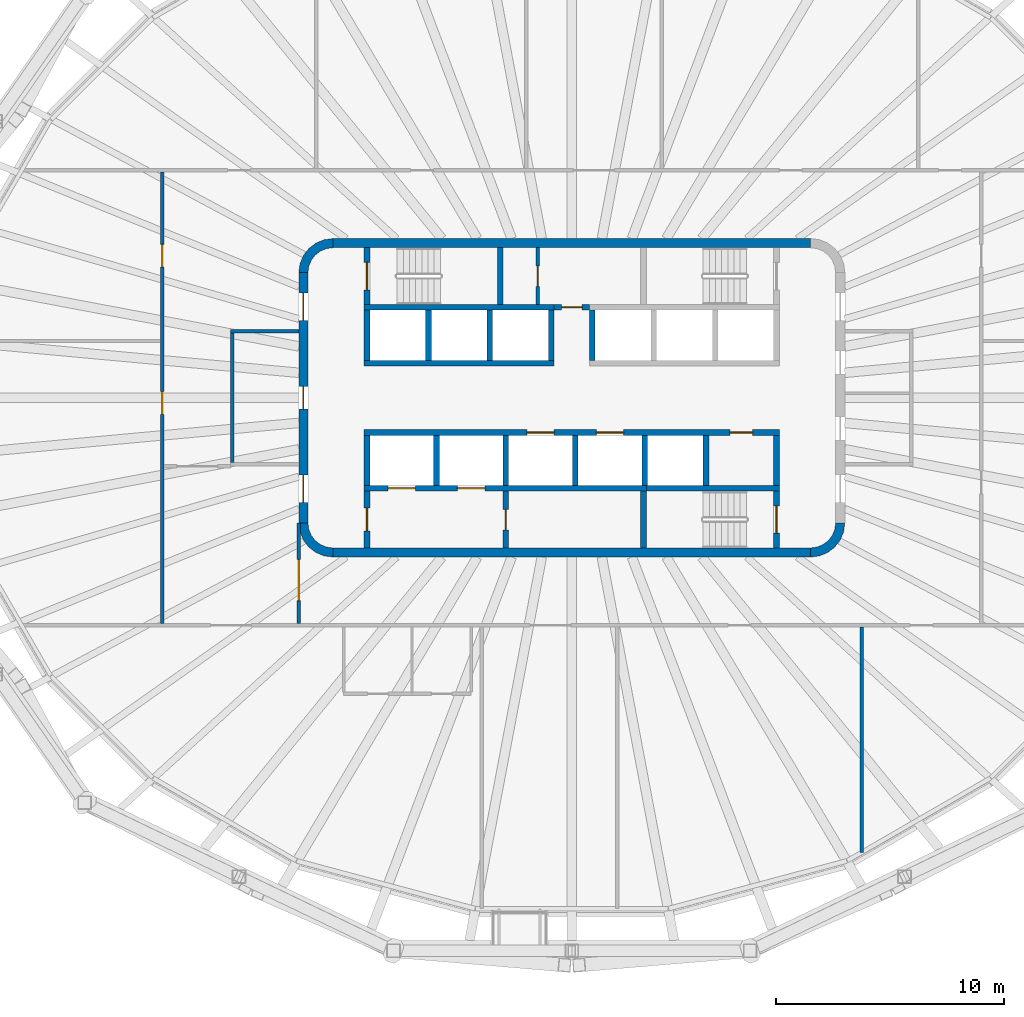
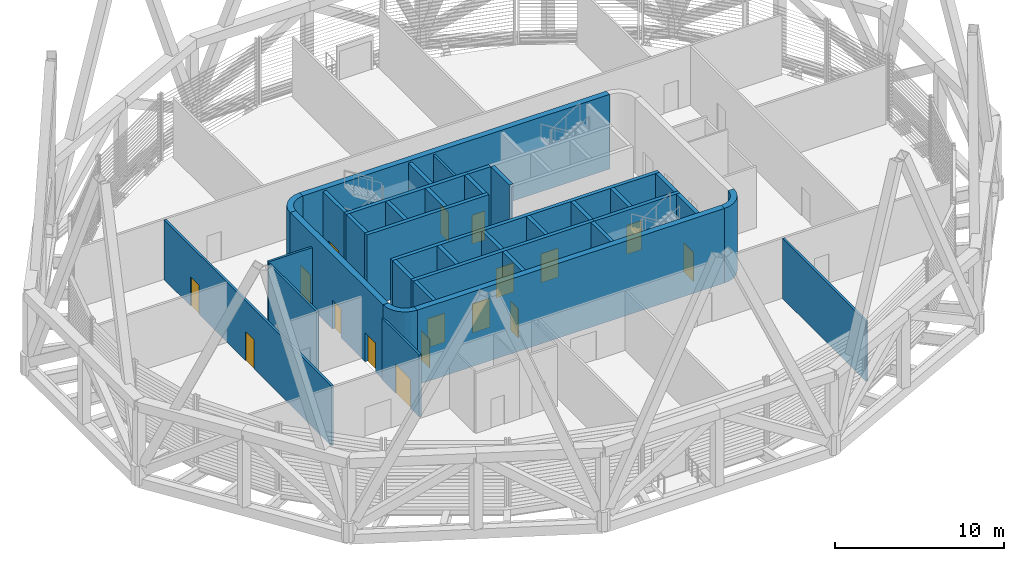
# One storey, part 6 of 16: 36 walls, 17 doors, 17 openings.
"""IFC4 building model written with IfcOpenShell, lengths in metres."""

from ifc_helpers import new_model, si_unit, direction, frame, frame_2d, origin, place, context, subcontext, project, spatial, polyline, rectangle, outline, extrude, material, layer, layer_set, type_object, element, fill, save


model = new_model("IFC4")

# Units and contexts
model_context = context("Model", 3, precision=1e-05, world=origin(), true_north=direction((0.0, 1.0)))
body_context = subcontext(model_context, "Body", "Model", "MODEL_VIEW")
ifc_project = project(units=[si_unit("LENGTHUNIT", "METRE"), si_unit("AREAUNIT", "SQUARE_METRE"), si_unit("VOLUMEUNIT", "CUBIC_METRE"), si_unit("PLANEANGLEUNIT", "RADIAN"), si_unit("MASSUNIT", "GRAM", prefix="KILO")], contexts=[model_context])

# Site, building, storey
site_placement = place(None, origin())
site = spatial("IfcSite", under=ifc_project, at=site_placement, CompositionType="ELEMENT")
building_placement = place(site_placement, origin())
building = spatial("IfcBuilding", under=site, at=building_placement, Name="Sahrelin Media Tower", CompositionType="ELEMENT")
storey_placement = place(building_placement, frame((0.0, 0.0, 299.0)))
storey = spatial("IfcBuildingStorey", under=building, at=storey_placement, Name="L66", CompositionType="ELEMENT", Elevation=299.0)

# Walls
ifc_material_1 = material(Name="Concrete C60/75", Category="concrete")
ifc_layer_1 = layer(ifc_material_1, 0.39990234375)
ifc_layer_set_1 = layer_set([ifc_layer_1], Name="Core wall 400")
wall_type_1 = type_object("IfcWallType", Name="Core wall 400", PredefinedType="SHEAR", material=ifc_layer_set_1)
for number, where, z_axis, x_axis, name in (
    (1, (-10.5, 6.800048828125, 0.0), (0.0, 0.0, 1.0), (1.0, 0.0, 0.0), "Core wall N L66"),
    (2, (-10.5, -6.800048828125, 0.0), (0.0, 0.0, 1.0), (1.0, 0.0, 0.0), "Core wall S L66"),
):
    element("IfcWall", number, at=place(storey_placement, frame(where, z_axis=z_axis, x_axis=x_axis)), inside=storey, type_object=wall_type_1, Name=name, PredefinedType="SHEAR", context=body_context, shape_type="SweptSolid", body=[
        extrude(rectangle(XDim=21.0, YDim=0.39990234375, at=frame_2d((10.5, 0.0))), origin(), (0.0, 0.0, 1.0), 5.39990234375),
    ])

# Wall, openings, doors
wall_1_placement = place(storey_placement, frame((-11.800048828125, -5.5, 0.0), z_axis=(0.0, 0.0, 1.0), x_axis=(0.0, 1.0, 0.0)))
wall_1 = element("IfcWall", 3, at=wall_1_placement, inside=storey, type_object=wall_type_1, Name="Core wall W L66", PredefinedType="SHEAR", context=body_context, shape_type="SweptSolid", body=[
    extrude(rectangle(XDim=11.0, YDim=0.39990234375, at=frame_2d((5.5, 0.0))), origin(), (0.0, 0.0, 1.0), 5.39990234375),
])
opening_1_placement = place(wall_1_placement, frame((5.0, 0.0, 0.0)))
opening_1 = element("IfcOpeningElement", 4, at=opening_1_placement, cuts=wall_1, Name="Opening L66-D09", PredefinedType="OPENING", context=body_context, shape_type="SweptSolid", body=[
    extrude(rectangle(XDim=1.0, YDim=2.10009765625, at=frame_2d((0.5, 1.050048828125))), frame((0.0, 0.199951171875, 0.0), z_axis=(0.0, -1.0, 0.0), x_axis=(1.0, 0.0, 0.0)), (0.0, 0.0, 1.0), 0.39990234375),
])
opening_2_placement = place(wall_1_placement, frame((0.89990234375, 0.0, 0.0)))
opening_2 = element("IfcOpeningElement", 5, at=opening_2_placement, cuts=wall_1, Name="Opening L66-D12", PredefinedType="OPENING", context=body_context, shape_type="SweptSolid", body=[
    extrude(rectangle(XDim=1.199951171875, YDim=2.10009765625, at=frame_2d((0.60009765625, 1.050048828125))), frame((0.0, 0.199951171875, 0.0), z_axis=(0.0, -1.0, 0.0), x_axis=(1.0, 0.0, 0.0)), (0.0, 0.0, 1.0), 0.39990234375),
])
opening_3_placement = place(wall_1_placement, frame((8.89990234375, 0.0, 0.0)))
opening_3 = element("IfcOpeningElement", 6, at=opening_3_placement, cuts=wall_1, Name="Opening L66-D13", PredefinedType="OPENING", context=body_context, shape_type="SweptSolid", body=[
    extrude(rectangle(XDim=1.199951171875, YDim=2.10009765625, at=frame_2d((0.60009765625, 1.050048828125))), frame((0.0, 0.199951171875, 0.0), z_axis=(0.0, -1.0, 0.0), x_axis=(1.0, 0.0, 0.0)), (0.0, 0.0, 1.0), 0.39990234375),
])
ifc_material_2 = material(Name="Steel fire door leaf", Category="steel")
door_type_1 = type_object("IfcDoorType", Name="Fire door 1000 x 2100 EI 60", OperationType="NOTDEFINED", PredefinedType="DOOR", material=ifc_material_2)
door_1_placement = place(opening_1_placement, origin())
door_1 = element("IfcDoor", 7, at=door_1_placement, inside=storey, type_object=door_type_1, Name="Core room door", OperationType="SINGLE_SWING_RIGHT", OverallHeight=2.10009765625, OverallWidth=1.0, PredefinedType="DOOR", context=body_context, shape_type="SweptSolid", body=[
    extrude(rectangle(XDim=1.0, YDim=2.10009765625, at=frame_2d((0.5, 1.050048828125))), frame((0.0, 0.02490234375, 0.0), z_axis=(0.0, -1.0, 0.0), x_axis=(1.0, 0.0, 0.0)), (0.0, 0.0, 1.0), 0.050048828125),
])
fill(opening_1, door_1)
door_type_2 = type_object("IfcDoorType", Name="Lobby door 1200 x 2100 EI 60", OperationType="NOTDEFINED", PredefinedType="DOOR", material=ifc_material_2)
door_2_placement = place(opening_2_placement, origin())
door_2 = element("IfcDoor", 8, at=door_2_placement, inside=storey, type_object=door_type_2, Name="Lobby door", OperationType="SINGLE_SWING_LEFT", OverallHeight=2.10009765625, OverallWidth=1.199951171875, PredefinedType="DOOR", context=body_context, shape_type="SweptSolid", body=[
    extrude(rectangle(XDim=1.199951171875, YDim=2.10009765625, at=frame_2d((0.60009765625, 1.050048828125))), frame((0.0, 0.02490234375, 0.0), z_axis=(0.0, -1.0, 0.0), x_axis=(1.0, 0.0, 0.0)), (0.0, 0.0, 1.0), 0.050048828125),
])
fill(opening_2, door_2)
door_3_placement = place(opening_3_placement, origin())
door_3 = element("IfcDoor", 9, at=door_3_placement, inside=storey, type_object=door_type_2, Name="Lobby door", OperationType="SINGLE_SWING_LEFT", OverallHeight=2.10009765625, OverallWidth=1.199951171875, PredefinedType="DOOR", context=body_context, shape_type="SweptSolid", body=[
    extrude(rectangle(XDim=1.199951171875, YDim=2.10009765625, at=frame_2d((0.60009765625, 1.050048828125))), frame((0.0, 0.02490234375, 0.0), z_axis=(0.0, -1.0, 0.0), x_axis=(1.0, 0.0, 0.0)), (0.0, 0.0, 1.0), 0.050048828125),
])
fill(opening_3, door_3)

# Walls
placement = place(storey_placement, origin())
element("IfcWall", 10, at=placement, inside=storey, type_object=wall_type_1, Name="Core wall corner NW L66", PredefinedType="SHEAR", context=body_context, shape_type="SweptSolid", body=[
    extrude(outline(polyline([(-12.0, 5.5), (-11.596435546875, 5.5), (-11.55908203125, 5.78369140625), (-11.44970703125, 6.04833984375), (-11.275390625, 6.275390625), (-11.04833984375, 6.44970703125), (-10.78369140625, 6.55908203125), (-10.5, 6.596435546875), (-10.5, 7.0), (-10.88818359375, 6.948974609375), (-11.25, 6.799072265625), (-11.560791015625, 6.560791015625), (-11.799072265625, 6.25), (-11.948974609375, 5.88818359375), (-12.0, 5.5)])), origin(), (0.0, 0.0, 1.0), 5.39990234375),
])
element("IfcWall", 11, at=placement, inside=storey, type_object=wall_type_1, Name="Core wall corner SW L66", PredefinedType="SHEAR", context=body_context, shape_type="SweptSolid", body=[
    extrude(outline(polyline([(-10.5, -7.0), (-10.5, -6.596435546875), (-10.78369140625, -6.55908203125), (-11.04833984375, -6.44970703125), (-11.275390625, -6.275390625), (-11.44970703125, -6.04833984375), (-11.55908203125, -5.78369140625), (-11.596435546875, -5.5), (-12.0, -5.5), (-11.948974609375, -5.88818359375), (-11.799072265625, -6.25), (-11.560791015625, -6.560791015625), (-11.25, -6.799072265625), (-10.88818359375, -6.948974609375), (-10.5, -7.0)])), origin(), (0.0, 0.0, 1.0), 5.39990234375),
])
element("IfcWall", 12, at=placement, inside=storey, type_object=wall_type_1, Name="Core wall corner SE L66", PredefinedType="SHEAR", context=body_context, shape_type="SweptSolid", body=[
    extrude(outline(polyline([(12.0, -5.5), (11.596435546875, -5.5), (11.55908203125, -5.78369140625), (11.44970703125, -6.04833984375), (11.275390625, -6.275390625), (11.04833984375, -6.44970703125), (10.78369140625, -6.55908203125), (10.5, -6.596435546875), (10.5, -7.0), (10.88818359375, -6.948974609375), (11.25, -6.799072265625), (11.560791015625, -6.560791015625), (11.799072265625, -6.25), (11.948974609375, -5.88818359375), (12.0, -5.5)])), origin(), (0.0, 0.0, 1.0), 5.39990234375),
])

# Wall, opening, door
ifc_material_3 = material(Name="Fire-rated gypsum board partition")
ifc_layer_2 = layer(ifc_material_3, 0.14990234375)
ifc_layer_set_2 = layer_set([ifc_layer_2], Name="Fire-rated lobby wall 150")
wall_type_2 = type_object("IfcWallType", Name="Fire-rated lobby wall 150", PredefinedType="PARTITIONING", material=ifc_layer_set_2)
wall_5_placement = place(storey_placement, frame((-12.0, -5.5, 0.0), z_axis=(0.0, 0.0, 1.0), x_axis=(0.0, -1.0, 0.0)))
wall_5 = element("IfcWall", 13, at=wall_5_placement, inside=storey, type_object=wall_type_2, Name="Wall", PredefinedType="PARTITIONING", context=body_context, shape_type="SweptSolid", body=[
    extrude(rectangle(XDim=4.425048828125, YDim=0.14990234375, at=frame_2d((2.21240234375, 0.0))), origin(), (0.0, 0.0, 1.0), 4.47607421875),
])
opening_4_placement = place(wall_5_placement, frame((1.613037109375, 0.0, 0.0)))
opening_4 = element("IfcOpeningElement", 14, at=opening_4_placement, cuts=wall_5, Name="Opening L66-D26", PredefinedType="OPENING", context=body_context, shape_type="SweptSolid", body=[
    extrude(rectangle(XDim=1.800048828125, YDim=2.10009765625, at=frame_2d((0.89990234375, 1.050048828125))), frame((0.0, 0.074951171875, 0.0), z_axis=(0.0, -1.0, 0.0), x_axis=(1.0, 0.0, 0.0)), (0.0, 0.0, 1.0), 0.14990234375),
])
door_type_3 = type_object("IfcDoorType", Name="Lobby double door 1800 x 2100 EI 60", OperationType="DOUBLE_DOOR_SINGLE_SWING", PredefinedType="DOOR", material=ifc_material_2)
door_4_placement = place(opening_4_placement, origin())
door_4 = element("IfcDoor", 15, at=door_4_placement, inside=storey, type_object=door_type_3, Name="Lobby double door", OperationType="DOUBLE_DOOR_SINGLE_SWING", OverallHeight=2.10009765625, OverallWidth=1.800048828125, PredefinedType="DOOR", context=body_context, shape_type="SweptSolid", body=[
    extrude(rectangle(XDim=1.800048828125, YDim=2.10009765625, at=frame_2d((0.89990234375, 1.050048828125))), frame((0.0, 0.02490234375, 0.0), z_axis=(0.0, -1.0, 0.0), x_axis=(1.0, 0.0, 0.0)), (0.0, 0.0, 1.0), 0.050048828125),
])
fill(opening_4, door_4)

ifc_layer_3 = layer(ifc_material_3, 0.25)
ifc_layer_set_3 = layer_set([ifc_layer_3], Name="Fire-rated lobby wall 250")
wall_type_3 = type_object("IfcWallType", Name="Fire-rated lobby wall 250", PredefinedType="PARTITIONING", material=ifc_layer_set_3)
wall_6_placement = place(storey_placement, frame((-0.77490234375, 3.97509765625, 0.0), z_axis=(0.0, 0.0, 1.0), x_axis=(1.0, 0.0, 0.0)))
wall_6 = element("IfcWall", 16, at=wall_6_placement, inside=storey, type_object=wall_type_3, Name="Core lobby wall", PredefinedType="PARTITIONING", context=body_context, shape_type="SweptSolid", body=[
    extrude(rectangle(XDim=1.5498046875, YDim=0.25, at=frame_2d((0.77490234375, 0.0))), origin(), (0.0, 0.0, 1.0), 5.25),
])
opening_5_placement = place(wall_6_placement, frame((0.324951171875, 0.0, 0.0)))
opening_5 = element("IfcOpeningElement", 17, at=opening_5_placement, cuts=wall_6, Name="Opening L66-D06", PredefinedType="OPENING", context=body_context, shape_type="SweptSolid", body=[
    extrude(rectangle(XDim=0.89990234375, YDim=2.10009765625, at=frame_2d((0.449951171875, 1.050048828125))), frame((0.0, 0.125, 0.0), z_axis=(0.0, -1.0, 0.0), x_axis=(1.0, 0.0, 0.0)), (0.0, 0.0, 1.0), 0.25),
])
door_type_4 = type_object("IfcDoorType", Name="Riser door 900 x 2100 EI 120", OperationType="NOTDEFINED", PredefinedType="DOOR", material=ifc_material_2)
door_5_placement = place(opening_5_placement, origin())
door_5 = element("IfcDoor", 18, at=door_5_placement, inside=storey, type_object=door_type_4, Name="Core room door", OperationType="SINGLE_SWING_LEFT", OverallHeight=2.10009765625, OverallWidth=0.89990234375, PredefinedType="DOOR", context=body_context, shape_type="SweptSolid", body=[
    extrude(rectangle(XDim=0.89990234375, YDim=2.10009765625, at=frame_2d((0.449951171875, 1.050048828125))), frame((0.0, 0.02490234375, 0.0), z_axis=(0.0, -1.0, 0.0), x_axis=(1.0, 0.0, 0.0)), (0.0, 0.0, 1.0), 0.050048828125),
])
fill(opening_5, door_5)

ifc_layer_4 = layer(ifc_material_3, 0.14990234375)
ifc_layer_set_4 = layer_set([ifc_layer_4], Name="Fire-rated partition 150")
wall_type_4 = type_object("IfcWallType", Name="Fire-rated partition 150", PredefinedType="PARTITIONING", material=ifc_layer_set_4)
wall_7_placement = place(storey_placement, frame((-1.5, 4.10009765625, 0.0), z_axis=(0.0, 0.0, 1.0), x_axis=(0.0, 1.0, 0.0)))
wall_7 = element("IfcWall", 19, at=wall_7_placement, inside=storey, type_object=wall_type_4, Name="Core room fire partition", PredefinedType="PARTITIONING", context=body_context, shape_type="SweptSolid", body=[
    extrude(rectangle(XDim=2.5, YDim=0.14990234375, at=frame_2d((1.25, 0.0))), origin(), (0.0, 0.0, 1.0), 5.25),
])
opening_6_placement = place(wall_7_placement, frame((0.800048828125, 0.0, 0.0)))
opening_6 = element("IfcOpeningElement", 20, at=opening_6_placement, cuts=wall_7, Name="Opening L66-D07", PredefinedType="OPENING", context=body_context, shape_type="SweptSolid", body=[
    extrude(rectangle(XDim=0.89990234375, YDim=2.10009765625, at=frame_2d((0.449951171875, 1.050048828125))), frame((0.0, 0.074951171875, 0.0), z_axis=(0.0, -1.0, 0.0), x_axis=(1.0, 0.0, 0.0)), (0.0, 0.0, 1.0), 0.14990234375),
])
door_type_5 = type_object("IfcDoorType", Name="Fire door 900 x 2100 EI 60", OperationType="NOTDEFINED", PredefinedType="DOOR", material=ifc_material_2)
door_6_placement = place(opening_6_placement, origin())
door_6 = element("IfcDoor", 21, at=door_6_placement, inside=storey, type_object=door_type_5, Name="Core room door", OperationType="SINGLE_SWING_LEFT", OverallHeight=2.10009765625, OverallWidth=0.89990234375, PredefinedType="DOOR", context=body_context, shape_type="SweptSolid", body=[
    extrude(rectangle(XDim=0.89990234375, YDim=2.10009765625, at=frame_2d((0.449951171875, 1.050048828125))), frame((0.0, 0.02490234375, 0.0), z_axis=(0.0, -1.0, 0.0), x_axis=(1.0, 0.0, 0.0)), (0.0, 0.0, 1.0), 0.050048828125),
])
fill(opening_6, door_6)

# Walls
wall_8_placement = place(storey_placement, frame((-14.925048828125, -2.85009765625, 0.0), z_axis=(0.0, 0.0, 1.0), x_axis=(0.0, 1.0, 0.0)))
element("IfcWall", 22, at=wall_8_placement, inside=storey, type_object=wall_type_4, Name="Core room fire partition", PredefinedType="PARTITIONING", context=body_context, shape_type="SweptSolid", body=[
    extrude(rectangle(XDim=5.7001953125, YDim=0.14990234375, at=frame_2d((2.85009765625, 0.0))), origin(), (0.0, 0.0, 1.0), 4.326904296875),
])
wall_9_placement = place(storey_placement, frame((-15.0, 2.925048828125, 0.0), z_axis=(0.0, 0.0, 1.0), x_axis=(1.0, 0.0, 0.0)))
element("IfcWall", 23, at=wall_9_placement, inside=storey, type_object=wall_type_4, Name="Core room fire partition", PredefinedType="PARTITIONING", context=body_context, shape_type="SweptSolid", body=[
    extrude(rectangle(XDim=3.0, YDim=0.14990234375, at=frame_2d((1.5, 0.0))), origin(), (0.0, 0.0, 1.0), 4.47607421875),
])

# Wall, openings, doors
wall_10_placement = place(storey_placement, frame((-18.0, -9.925048828125, 0.0), z_axis=(0.0, 0.0, 1.0), x_axis=(0.0, 1.0, 0.0)))
wall_10 = element("IfcWall", 24, at=wall_10_placement, inside=storey, type_object=wall_type_4, Name="Wall", PredefinedType="PARTITIONING", context=body_context, shape_type="SweptSolid", body=[
    extrude(rectangle(XDim=19.85009765625, YDim=0.14990234375, at=frame_2d((9.925048828125, 0.0))), origin(), (0.0, 0.0, 1.0), 4.326904296875),
])
opening_7_placement = place(wall_10_placement, frame((9.199951171875, 0.0, 0.0)))
opening_7 = element("IfcOpeningElement", 25, at=opening_7_placement, cuts=wall_10, Name="Opening L66-D24", PredefinedType="OPENING", context=body_context, shape_type="SweptSolid", body=[
    extrude(rectangle(XDim=1.0, YDim=2.10009765625, at=frame_2d((0.5, 1.050048828125))), frame((0.0, 0.074951171875, 0.0), z_axis=(0.0, -1.0, 0.0), x_axis=(1.0, 0.0, 0.0)), (0.0, 0.0, 1.0), 0.14990234375),
])
opening_8_placement = place(wall_10_placement, frame((15.675048828125, 0.0, 0.0)))
opening_8 = element("IfcOpeningElement", 26, at=opening_8_placement, cuts=wall_10, Name="Opening L66-D25", PredefinedType="OPENING", context=body_context, shape_type="SweptSolid", body=[
    extrude(rectangle(XDim=1.0, YDim=2.10009765625, at=frame_2d((0.5, 1.050048828125))), frame((0.0, 0.074951171875, 0.0), z_axis=(0.0, -1.0, 0.0), x_axis=(1.0, 0.0, 0.0)), (0.0, 0.0, 1.0), 0.14990234375),
])
door_7_placement = place(opening_7_placement, origin())
door_7 = element("IfcDoor", 27, at=door_7_placement, inside=storey, type_object=door_type_1, Name="Fire door", OperationType="SINGLE_SWING_LEFT", OverallHeight=2.10009765625, OverallWidth=1.0, PredefinedType="DOOR", context=body_context, shape_type="SweptSolid", body=[
    extrude(rectangle(XDim=1.0, YDim=2.10009765625, at=frame_2d((0.5, 1.050048828125))), frame((0.0, 0.02490234375, 0.0), z_axis=(0.0, -1.0, 0.0), x_axis=(1.0, 0.0, 0.0)), (0.0, 0.0, 1.0), 0.050048828125),
])
fill(opening_7, door_7)
door_8_placement = place(opening_8_placement, origin())
door_8 = element("IfcDoor", 28, at=door_8_placement, inside=storey, type_object=door_type_1, Name="Fire door", OperationType="SINGLE_SWING_RIGHT", OverallHeight=2.10009765625, OverallWidth=1.0, PredefinedType="DOOR", context=body_context, shape_type="SweptSolid", body=[
    extrude(rectangle(XDim=1.0, YDim=2.10009765625, at=frame_2d((0.5, 1.050048828125))), frame((0.0, 0.02490234375, 0.0), z_axis=(0.0, -1.0, 0.0), x_axis=(1.0, 0.0, 0.0)), (0.0, 0.0, 1.0), 0.050048828125),
])
fill(opening_8, door_8)

# Wall
wall_11_placement = place(storey_placement, frame((12.743408203125, -10.074951171875, 0.0), z_axis=(0.0, 0.0, 1.0), x_axis=(0.0, -1.0, 0.0)))
element("IfcWall", 29, at=wall_11_placement, inside=storey, type_object=wall_type_4, Name="Wall", PredefinedType="PARTITIONING", context=body_context, shape_type="SweptSolid", body=[
    extrude(rectangle(XDim=9.903564453125, YDim=0.14990234375, at=frame_2d((4.95166015625, 0.0))), origin(), (0.0, 0.0, 1.0), 4.34521484375),
])

# Wall, opening, door
ifc_layer_5 = layer(ifc_material_3, 0.25)
ifc_layer_set_5 = layer_set([ifc_layer_5], Name="Firefighting lobby wall 250")
wall_type_5 = type_object("IfcWallType", Name="Firefighting lobby wall 250", PredefinedType="PARTITIONING", material=ifc_layer_set_5)
wall_12_placement = place(storey_placement, frame((-9.0, -6.60009765625, 0.0), z_axis=(0.0, 0.0, 1.0), x_axis=(0.0, 1.0, 0.0)))
wall_12 = element("IfcWall", 30, at=wall_12_placement, inside=storey, type_object=wall_type_5, Name="Core wall", PredefinedType="PARTITIONING", context=body_context, shape_type="SweptSolid", body=[
    extrude(rectangle(XDim=2.5, YDim=0.25, at=frame_2d((1.25, 0.0))), origin(), (0.0, 0.0, 1.0), 5.25),
])
opening_9_placement = place(wall_12_placement, frame((0.75, 0.0, 0.0)))
opening_9 = element("IfcOpeningElement", 31, at=opening_9_placement, cuts=wall_12, Name="Opening L66-D04", PredefinedType="OPENING", context=body_context, shape_type="SweptSolid", body=[
    extrude(rectangle(XDim=1.0, YDim=2.10009765625, at=frame_2d((0.5, 1.050048828125))), frame((0.0, 0.125, 0.0), z_axis=(0.0, -1.0, 0.0), x_axis=(1.0, 0.0, 0.0)), (0.0, 0.0, 1.0), 0.25),
])
door_type_6 = type_object("IfcDoorType", Name="Firefighting lobby door 1000 x 2100 EI 120", OperationType="NOTDEFINED", PredefinedType="DOOR", material=ifc_material_2)
door_9_placement = place(opening_9_placement, origin())
door_9 = element("IfcDoor", 32, at=door_9_placement, inside=storey, type_object=door_type_6, Name="Firefighting lobby door", OperationType="SINGLE_SWING_LEFT", OverallHeight=2.10009765625, OverallWidth=1.0, PredefinedType="DOOR", context=body_context, shape_type="SweptSolid", body=[
    extrude(rectangle(XDim=1.0, YDim=2.10009765625, at=frame_2d((0.5, 1.050048828125))), frame((0.0, 0.02490234375, 0.0), z_axis=(0.0, -1.0, 0.0), x_axis=(1.0, 0.0, 0.0)), (0.0, 0.0, 1.0), 0.050048828125),
])
fill(opening_9, door_9)

wall_13_placement = place(storey_placement, frame((-2.89990234375, -6.60009765625, 0.0), z_axis=(0.0, 0.0, 1.0), x_axis=(0.0, 1.0, 0.0)))
wall_13 = element("IfcWall", 33, at=wall_13_placement, inside=storey, type_object=wall_type_5, Name="Core wall", PredefinedType="PARTITIONING", context=body_context, shape_type="SweptSolid", body=[
    extrude(rectangle(XDim=2.5, YDim=0.25, at=frame_2d((1.25, 0.0))), origin(), (0.0, 0.0, 1.0), 5.25),
])
opening_10_placement = place(wall_13_placement, frame((0.800048828125, 0.0, 0.0)))
opening_10 = element("IfcOpeningElement", 34, at=opening_10_placement, cuts=wall_13, Name="Opening L66-D05", PredefinedType="OPENING", context=body_context, shape_type="SweptSolid", body=[
    extrude(rectangle(XDim=0.89990234375, YDim=2.10009765625, at=frame_2d((0.449951171875, 1.050048828125))), frame((0.0, 0.125, 0.0), z_axis=(0.0, -1.0, 0.0), x_axis=(1.0, 0.0, 0.0)), (0.0, 0.0, 1.0), 0.25),
])
door_type_7 = type_object("IfcDoorType", Name="Firefighting lobby door 900 x 2100 EI 120", OperationType="NOTDEFINED", PredefinedType="DOOR", material=ifc_material_2)
door_10_placement = place(opening_10_placement, origin())
door_10 = element("IfcDoor", 35, at=door_10_placement, inside=storey, type_object=door_type_7, Name="Riser door", OperationType="SINGLE_SWING_RIGHT", OverallHeight=2.10009765625, OverallWidth=0.89990234375, PredefinedType="DOOR", context=body_context, shape_type="SweptSolid", body=[
    extrude(rectangle(XDim=0.89990234375, YDim=2.10009765625, at=frame_2d((0.449951171875, 1.050048828125))), frame((0.0, 0.02490234375, 0.0), z_axis=(0.0, -1.0, 0.0), x_axis=(1.0, 0.0, 0.0)), (0.0, 0.0, 1.0), 0.050048828125),
])
fill(opening_10, door_10)

# Walls
ifc_layer_6 = layer(ifc_material_1, 0.25)
ifc_layer_set_6 = layer_set([ifc_layer_6], Name="Lift shaft wall 250")
wall_type_6 = type_object("IfcWallType", Name="Lift shaft wall 250", PredefinedType="SOLIDWALL", material=ifc_layer_set_6)
for number, where, z_axis, x_axis, name in (
    (36, (-9.125, 1.52490234375, 0.0), (0.0, 0.0, 1.0), (1.0, 0.0, 0.0), "Lift shaft wall"),
    (37, (-9.125, 3.97509765625, 0.0), (0.0, 0.0, 1.0), (1.0, 0.0, 0.0), "Lift shaft wall"),
):
    element("IfcWall", number, at=place(storey_placement, frame(where, z_axis=z_axis, x_axis=x_axis)), inside=storey, type_object=wall_type_6, Name=name, PredefinedType="SOLIDWALL", context=body_context, shape_type="SweptSolid", body=[
        extrude(rectangle(XDim=8.35009765625, YDim=0.25, at=frame_2d((4.175048828125, 0.0))), origin(), (0.0, 0.0, 1.0), 5.25),
    ])
for number, where, z_axis, x_axis, name in (
    (38, (-9.0, 1.64990234375, 0.0), (0.0, 0.0, 1.0), (0.0, 1.0, 0.0), "Lift shaft wall"),
    (39, (-6.300048828125, 1.64990234375, 0.0), (0.0, 0.0, 1.0), (0.0, 1.0, 0.0), "Lift shaft wall"),
    (40, (-3.60009765625, 1.64990234375, 0.0), (0.0, 0.0, 1.0), (0.0, 1.0, 0.0), "Lift shaft wall"),
    (41, (-0.89990234375, 1.64990234375, 0.0), (0.0, 0.0, 1.0), (0.0, 1.0, 0.0), "Lift shaft wall"),
    (42, (0.89990234375, 1.64990234375, 0.0), (0.0, 0.0, 1.0), (0.0, 1.0, 0.0), "Lift shaft wall"),
):
    element("IfcWall", number, at=place(storey_placement, frame(where, z_axis=z_axis, x_axis=x_axis)), inside=storey, type_object=wall_type_6, Name=name, PredefinedType="SOLIDWALL", context=body_context, shape_type="SweptSolid", body=[
        extrude(rectangle(XDim=2.2001953125, YDim=0.25, at=frame_2d((1.10009765625, 0.0))), origin(), (0.0, 0.0, 1.0), 5.25),
    ])

# Wall, openings, doors
wall_14_placement = place(storey_placement, frame((-9.125, -1.52490234375, 0.0), z_axis=(0.0, 0.0, 1.0), x_axis=(1.0, 0.0, 0.0)))
wall_14 = element("IfcWall", 43, at=wall_14_placement, inside=storey, type_object=wall_type_6, Name="Lift shaft wall", PredefinedType="SOLIDWALL", context=body_context, shape_type="SweptSolid", body=[
    extrude(rectangle(XDim=18.25, YDim=0.25, at=frame_2d((9.125, 0.0))), origin(), (0.0, 0.0, 1.0), 5.25),
])
opening_11_placement = place(wall_14_placement, frame((7.14990234375, 0.0, 0.0)))
opening_11 = element("IfcOpeningElement", 44, at=opening_11_placement, cuts=wall_14, Name="Opening L66-LD-SV1", PredefinedType="OPENING", context=body_context, shape_type="SweptSolid", body=[
    extrude(rectangle(XDim=1.199951171875, YDim=2.10009765625, at=frame_2d((0.60009765625, 1.050048828125))), frame((0.0, 0.125, 0.0), z_axis=(0.0, -1.0, 0.0), x_axis=(1.0, 0.0, 0.0)), (0.0, 0.0, 1.0), 0.25),
])
opening_12_placement = place(wall_14_placement, frame((10.199951171875, 0.0, 0.0)))
opening_12 = element("IfcOpeningElement", 45, at=opening_12_placement, cuts=wall_14, Name="Opening L66-LD-SV2", PredefinedType="OPENING", context=body_context, shape_type="SweptSolid", body=[
    extrude(rectangle(XDim=1.199951171875, YDim=2.10009765625, at=frame_2d((0.60009765625, 1.050048828125))), frame((0.0, 0.125, 0.0), z_axis=(0.0, -1.0, 0.0), x_axis=(1.0, 0.0, 0.0)), (0.0, 0.0, 1.0), 0.25),
])
opening_13_placement = place(wall_14_placement, frame((16.074951171875, 0.0, 0.0)))
opening_13 = element("IfcOpeningElement", 46, at=opening_13_placement, cuts=wall_14, Name="Opening L66-D08", PredefinedType="OPENING", context=body_context, shape_type="SweptSolid", body=[
    extrude(rectangle(XDim=1.0, YDim=2.10009765625, at=frame_2d((0.5, 1.050048828125))), frame((0.0, 0.125, 0.0), z_axis=(0.0, -1.0, 0.0), x_axis=(1.0, 0.0, 0.0)), (0.0, 0.0, 1.0), 0.25),
])
door_11_placement = place(opening_13_placement, origin())
door_11 = element("IfcDoor", 47, at=door_11_placement, inside=storey, type_object=door_type_1, Name="Core room door", OperationType="SINGLE_SWING_RIGHT", OverallHeight=2.10009765625, OverallWidth=1.0, PredefinedType="DOOR", context=body_context, shape_type="SweptSolid", body=[
    extrude(rectangle(XDim=1.0, YDim=2.10009765625, at=frame_2d((0.5, 1.050048828125))), frame((0.0, 0.02490234375, 0.0), z_axis=(0.0, -1.0, 0.0), x_axis=(1.0, 0.0, 0.0)), (0.0, 0.0, 1.0), 0.050048828125),
])
fill(opening_13, door_11)
ifc_material_4 = material(Name="Stainless steel", Category="steel")
door_type_8 = type_object("IfcDoorType", Name="Lift landing door 1200 x 2100 EI 120", OperationType="DOUBLE_DOOR_SLIDING", PredefinedType="DOOR", material=ifc_material_4)
door_12_placement = place(opening_11_placement, origin())
door_12 = element("IfcDoor", 48, at=door_12_placement, inside=storey, type_object=door_type_8, Name="Lift landing door SV1", OperationType="DOUBLE_DOOR_SLIDING", OverallHeight=2.10009765625, OverallWidth=1.199951171875, PredefinedType="DOOR", context=body_context, shape_type="SweptSolid", body=[
    extrude(rectangle(XDim=1.199951171875, YDim=2.10009765625, at=frame_2d((0.60009765625, 1.050048828125))), frame((0.0, 0.02490234375, 0.0), z_axis=(0.0, -1.0, 0.0), x_axis=(1.0, 0.0, 0.0)), (0.0, 0.0, 1.0), 0.050048828125),
])
fill(opening_11, door_12)
door_13_placement = place(opening_12_placement, origin())
door_13 = element("IfcDoor", 49, at=door_13_placement, inside=storey, type_object=door_type_8, Name="Lift landing door SV2", OperationType="DOUBLE_DOOR_SLIDING", OverallHeight=2.10009765625, OverallWidth=1.199951171875, PredefinedType="DOOR", context=body_context, shape_type="SweptSolid", body=[
    extrude(rectangle(XDim=1.199951171875, YDim=2.10009765625, at=frame_2d((0.60009765625, 1.050048828125))), frame((0.0, 0.02490234375, 0.0), z_axis=(0.0, -1.0, 0.0), x_axis=(1.0, 0.0, 0.0)), (0.0, 0.0, 1.0), 0.050048828125),
])
fill(opening_12, door_13)

wall_15_placement = place(storey_placement, frame((-9.125, -3.97509765625, 0.0), z_axis=(0.0, 0.0, 1.0), x_axis=(1.0, 0.0, 0.0)))
wall_15 = element("IfcWall", 50, at=wall_15_placement, inside=storey, type_object=wall_type_6, Name="Lift shaft wall", PredefinedType="SOLIDWALL", context=body_context, shape_type="SweptSolid", body=[
    extrude(rectangle(XDim=12.39990234375, YDim=0.25, at=frame_2d((6.199951171875, 0.0))), origin(), (0.0, 0.0, 1.0), 5.25),
])
opening_14_placement = place(wall_15_placement, frame((1.050048828125, 0.0, 0.0)))
opening_14 = element("IfcOpeningElement", 51, at=opening_14_placement, cuts=wall_15, Name="Opening L66-LD-FF1", PredefinedType="OPENING", context=body_context, shape_type="SweptSolid", body=[
    extrude(rectangle(XDim=1.199951171875, YDim=2.10009765625, at=frame_2d((0.60009765625, 1.050048828125))), frame((0.0, 0.125, 0.0), z_axis=(0.0, -1.0, 0.0), x_axis=(1.0, 0.0, 0.0)), (0.0, 0.0, 1.0), 0.25),
])
opening_15_placement = place(wall_15_placement, frame((4.10009765625, 0.0, 0.0)))
opening_15 = element("IfcOpeningElement", 52, at=opening_15_placement, cuts=wall_15, Name="Opening L66-LD-FF2", PredefinedType="OPENING", context=body_context, shape_type="SweptSolid", body=[
    extrude(rectangle(XDim=1.199951171875, YDim=2.10009765625, at=frame_2d((0.60009765625, 1.050048828125))), frame((0.0, 0.125, 0.0), z_axis=(0.0, -1.0, 0.0), x_axis=(1.0, 0.0, 0.0)), (0.0, 0.0, 1.0), 0.25),
])
door_14_placement = place(opening_14_placement, origin())
door_14 = element("IfcDoor", 53, at=door_14_placement, inside=storey, type_object=door_type_8, Name="Lift landing door FF1", OperationType="DOUBLE_DOOR_SLIDING", OverallHeight=2.10009765625, OverallWidth=1.199951171875, PredefinedType="DOOR", context=body_context, shape_type="SweptSolid", body=[
    extrude(rectangle(XDim=1.199951171875, YDim=2.10009765625, at=frame_2d((0.60009765625, 1.050048828125))), frame((0.0, 0.02490234375, 0.0), z_axis=(0.0, -1.0, 0.0), x_axis=(1.0, 0.0, 0.0)), (0.0, 0.0, 1.0), 0.050048828125),
])
fill(opening_14, door_14)
door_15_placement = place(opening_15_placement, origin())
door_15 = element("IfcDoor", 54, at=door_15_placement, inside=storey, type_object=door_type_8, Name="Lift landing door FF2", OperationType="DOUBLE_DOOR_SLIDING", OverallHeight=2.10009765625, OverallWidth=1.199951171875, PredefinedType="DOOR", context=body_context, shape_type="SweptSolid", body=[
    extrude(rectangle(XDim=1.199951171875, YDim=2.10009765625, at=frame_2d((0.60009765625, 1.050048828125))), frame((0.0, 0.02490234375, 0.0), z_axis=(0.0, -1.0, 0.0), x_axis=(1.0, 0.0, 0.0)), (0.0, 0.0, 1.0), 0.050048828125),
])
fill(opening_15, door_15)

# Walls
wall_16_placement = place(storey_placement, frame((3.27490234375, -3.97509765625, 0.0), z_axis=(0.0, 0.0, 1.0), x_axis=(1.0, 0.0, 0.0)))
element("IfcWall", 55, at=wall_16_placement, inside=storey, type_object=wall_type_6, Name="Lift shaft wall", PredefinedType="SOLIDWALL", context=body_context, shape_type="SweptSolid", body=[
    extrude(rectangle(XDim=5.85009765625, YDim=0.25, at=frame_2d((2.925048828125, 0.0))), origin(), (0.0, 0.0, 1.0), 5.25),
])
for number, where, z_axis, x_axis, name in (
    (56, (-9.0, -3.85009765625, 0.0), (0.0, 0.0, 1.0), (0.0, 1.0, 0.0), "Lift shaft wall"),
    (57, (-5.949951171875, -3.85009765625, 0.0), (0.0, 0.0, 1.0), (0.0, 1.0, 0.0), "Lift shaft wall"),
    (58, (-2.89990234375, -3.85009765625, 0.0), (0.0, 0.0, 1.0), (0.0, 1.0, 0.0), "Lift shaft wall"),
    (59, (0.14990234375, -3.85009765625, 0.0), (0.0, 0.0, 1.0), (0.0, 1.0, 0.0), "Lift shaft wall"),
    (60, (3.199951171875, -3.85009765625, 0.0), (0.0, 0.0, 1.0), (0.0, 1.0, 0.0), "Lift shaft wall"),
    (61, (5.89990234375, -3.85009765625, 0.0), (0.0, 0.0, 1.0), (0.0, 1.0, 0.0), "Lift shaft wall"),
    (62, (9.0, -3.85009765625, 0.0), (0.0, 0.0, 1.0), (0.0, 1.0, 0.0), "Lift shaft wall"),
):
    element("IfcWall", number, at=place(storey_placement, frame(where, z_axis=z_axis, x_axis=x_axis)), inside=storey, type_object=wall_type_6, Name=name, PredefinedType="SOLIDWALL", context=body_context, shape_type="SweptSolid", body=[
        extrude(rectangle(XDim=2.2001953125, YDim=0.25, at=frame_2d((1.10009765625, 0.0))), origin(), (0.0, 0.0, 1.0), 5.25),
    ])

# Wall, opening, door
ifc_layer_7 = layer(ifc_material_1, 0.25)
ifc_layer_set_7 = layer_set([ifc_layer_7], Name="Stair enclosure wall 250")
wall_type_7 = type_object("IfcWallType", Name="Stair enclosure wall 250", PredefinedType="SOLIDWALL", material=ifc_layer_set_7)
wall_17_placement = place(storey_placement, frame((-9.0, 4.10009765625, 0.0), z_axis=(0.0, 0.0, 1.0), x_axis=(0.0, 1.0, 0.0)))
wall_17 = element("IfcWall", 63, at=wall_17_placement, inside=storey, type_object=wall_type_7, Name="Stair enclosure wall", PredefinedType="SOLIDWALL", context=body_context, shape_type="SweptSolid", body=[
    extrude(rectangle(XDim=2.5, YDim=0.25, at=frame_2d((1.25, 0.0))), origin(), (0.0, 0.0, 1.0), 5.25),
])
opening_16_placement = place(wall_17_placement, frame((0.64990234375, 0.0, 0.0)))
opening_16 = element("IfcOpeningElement", 64, at=opening_16_placement, cuts=wall_17, Name="Opening L66-D01", PredefinedType="OPENING", context=body_context, shape_type="SweptSolid", body=[
    extrude(rectangle(XDim=1.199951171875, YDim=2.10009765625, at=frame_2d((0.60009765625, 1.050048828125))), frame((0.0, 0.125, 0.0), z_axis=(0.0, -1.0, 0.0), x_axis=(1.0, 0.0, 0.0)), (0.0, 0.0, 1.0), 0.25),
])
door_type_9 = type_object("IfcDoorType", Name="Stair door 1200 x 2100 EI 120", OperationType="NOTDEFINED", PredefinedType="DOOR", material=ifc_material_2)
door_16_placement = place(opening_16_placement, origin())
door_16 = element("IfcDoor", 65, at=door_16_placement, inside=storey, type_object=door_type_9, Name="Stair door ST1", OperationType="SINGLE_SWING_RIGHT", OverallHeight=2.10009765625, OverallWidth=1.199951171875, PredefinedType="DOOR", context=body_context, shape_type="SweptSolid", body=[
    extrude(rectangle(XDim=1.199951171875, YDim=2.10009765625, at=frame_2d((0.60009765625, 1.050048828125))), frame((0.0, 0.02490234375, 0.0), z_axis=(0.0, -1.0, 0.0), x_axis=(1.0, 0.0, 0.0)), (0.0, 0.0, 1.0), 0.050048828125),
])
fill(opening_16, door_16)

wall_18_placement = place(storey_placement, frame((9.0, -6.60009765625, 0.0), z_axis=(0.0, 0.0, 1.0), x_axis=(0.0, 1.0, 0.0)))
wall_18 = element("IfcWall", 66, at=wall_18_placement, inside=storey, type_object=wall_type_7, Name="Stair enclosure wall", PredefinedType="SOLIDWALL", context=body_context, shape_type="SweptSolid", body=[
    extrude(rectangle(XDim=2.5, YDim=0.25, at=frame_2d((1.25, 0.0))), origin(), (0.0, 0.0, 1.0), 5.25),
])
opening_17_placement = place(wall_18_placement, frame((0.64990234375, 0.0, 0.0)))
opening_17 = element("IfcOpeningElement", 67, at=opening_17_placement, cuts=wall_18, Name="Opening L66-D03", PredefinedType="OPENING", context=body_context, shape_type="SweptSolid", body=[
    extrude(rectangle(XDim=1.199951171875, YDim=2.10009765625, at=frame_2d((0.60009765625, 1.050048828125))), frame((0.0, 0.125, 0.0), z_axis=(0.0, -1.0, 0.0), x_axis=(1.0, 0.0, 0.0)), (0.0, 0.0, 1.0), 0.25),
])
door_17_placement = place(opening_17_placement, origin())
door_17 = element("IfcDoor", 68, at=door_17_placement, inside=storey, type_object=door_type_9, Name="Stair door ST2", OperationType="SINGLE_SWING_LEFT", OverallHeight=2.10009765625, OverallWidth=1.199951171875, PredefinedType="DOOR", context=body_context, shape_type="SweptSolid", body=[
    extrude(rectangle(XDim=1.199951171875, YDim=2.10009765625, at=frame_2d((0.60009765625, 1.050048828125))), frame((0.0, 0.02490234375, 0.0), z_axis=(0.0, -1.0, 0.0), x_axis=(1.0, 0.0, 0.0)), (0.0, 0.0, 1.0), 0.050048828125),
])
fill(opening_17, door_17)

# Walls
for number, where, z_axis, x_axis, name in (
    (69, (-3.14990234375, 4.10009765625, 0.0), (0.0, 0.0, 1.0), (0.0, 1.0, 0.0), "Stair enclosure wall"),
    (70, (3.14990234375, -6.60009765625, 0.0), (0.0, 0.0, 1.0), (0.0, 1.0, 0.0), "Stair enclosure wall"),
):
    element("IfcWall", number, at=place(storey_placement, frame(where, z_axis=z_axis, x_axis=x_axis)), inside=storey, type_object=wall_type_7, Name=name, PredefinedType="SOLIDWALL", context=body_context, shape_type="SweptSolid", body=[
        extrude(rectangle(XDim=2.5, YDim=0.25, at=frame_2d((1.25, 0.0))), origin(), (0.0, 0.0, 1.0), 5.25),
    ])

save(model, "model.ifc")
